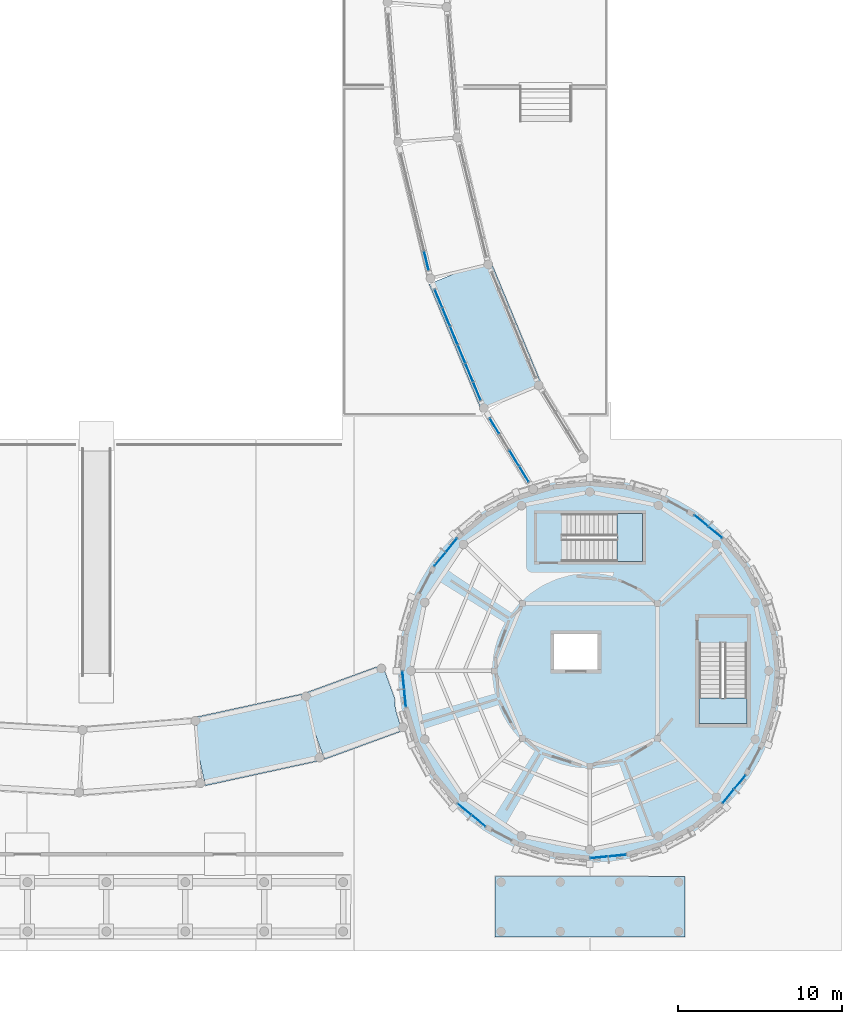
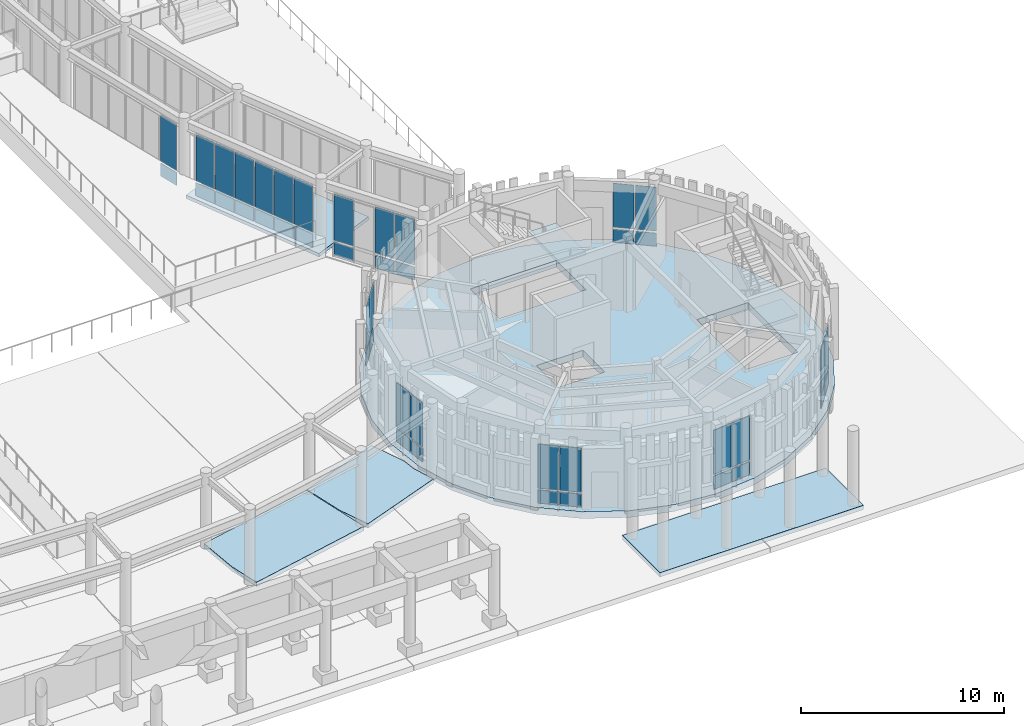
# One storey, part 40 of 94: 44 plates, 7 slabs, 11 elements without a shape of their own.
"""IFC4 building model written with IfcOpenShell, lengths in metres."""

from ifc_helpers import new_model, si_unit, direction, frame, origin, origin_2d, place, context, subcontext, project, spatial, polyline, rectangle, outline, extrude, material, layer, layer_set, type_object, element, aggregate, save


model = new_model("IFC4")

# Units and contexts
model_context = context("Model", 3, precision=1e-05, world=origin(), true_north=direction((0.0, 1.0)))
body_context = subcontext(model_context, "Body", "Model", "MODEL_VIEW")
ifc_project = project(units=[si_unit("LENGTHUNIT", "METRE"), si_unit("AREAUNIT", "SQUARE_METRE"), si_unit("VOLUMEUNIT", "CUBIC_METRE"), si_unit("PLANEANGLEUNIT", "RADIAN"), si_unit("MASSUNIT", "GRAM", prefix="KILO")], contexts=[model_context])

# Site, building, storey
site_placement = place(None, origin())
site = spatial("IfcSite", under=ifc_project, at=site_placement, CompositionType="ELEMENT")
building_placement = place(site_placement, origin())
building = spatial("IfcBuilding", under=site, at=building_placement, Name="Aldenvaro Health Centre", CompositionType="ELEMENT")
storey_placement = place(building_placement, origin())
storey = spatial("IfcBuildingStorey", under=building, at=storey_placement, Name="L00", CompositionType="ELEMENT", Elevation=0.0)

# Curtain wall, plates
ifc_material_1 = material(Name="Anodised Aluminium 6063-T6", Category="aluminium")
ifc_layer_1 = layer(ifc_material_1, 0.195068359375, Name="Anodised Aluminium 6063-T6", Category="aluminium")
ifc_layer_set_1 = layer_set([ifc_layer_1], Name="Anodised Aluminium 6063-T6")
curtain_wall_type_1 = type_object("IfcCurtainWallType", Name="CW-CLN-02", PredefinedType="NOTDEFINED", material=ifc_layer_set_1)
curtain_wall_1_placement = place(storey_placement, origin())
curtain_wall_1 = element("IfcCurtainWall", 1, at=curtain_wall_1_placement, inside=storey, type_object=curtain_wall_type_1, Name="D6 L00 curtain wall bay 04", PredefinedType="NOTDEFINED")
ifc_material_2 = material(Name="Low-E Double Glazing IGU", Category="glass")
ifc_layer_2 = layer(ifc_material_2, 0.028076171875, Name="Low-E Double Glazing IGU", Category="glass")
ifc_layer_set_2 = layer_set([ifc_layer_2], Name="Low-E Double Glazing IGU")
plate_type_1 = type_object("IfcPlateType", Name="CWP-IGU-28", PredefinedType="CURTAIN_PANEL", material=ifc_layer_set_2)
plate_1_placement = place(storey_placement, frame((163.625, 11.73388671875, 0.96044921875), z_axis=(0.0, 0.0, 1.0), x_axis=(-0.634577172169, -0.772859503767, 0.0)))
plate_1 = element("IfcPlate", 2, at=plate_1_placement, type_object=plate_type_1, Name="D6 L00 curtain wall bay 04 vision glazing 1", PredefinedType="CURTAIN_PANEL", context=body_context, shape_type="SweptSolid", body=[
    extrude(rectangle(XDim=1.047119140625, YDim=0.028076171875, at=origin_2d()), origin(), (0.0, 0.0, 1.0), 2.638916015625),
])
plate_2_placement = place(storey_placement, frame((162.916015625, 10.87109375, 0.96044921875), z_axis=(0.0, 0.0, 1.0), x_axis=(-0.634577172169, -0.772859503767, 0.0)))
plate_2 = element("IfcPlate", 3, at=plate_2_placement, type_object=plate_type_1, Name="D6 L00 curtain wall bay 04 vision glazing 2", PredefinedType="CURTAIN_PANEL", context=body_context, shape_type="SweptSolid", body=[
    extrude(rectangle(XDim=1.047119140625, YDim=0.028076171875, at=origin_2d()), origin(), (0.0, 0.0, 1.0), 2.638916015625),
])

curtain_wall_2_placement = place(storey_placement, origin())
curtain_wall_2 = element("IfcCurtainWall", 4, at=curtain_wall_2_placement, inside=storey, type_object=curtain_wall_type_1, Name="D6 L00 curtain wall bay 08", PredefinedType="NOTDEFINED")
plate_3_placement = place(storey_placement, frame((156.16796875, 7.263916015625, 0.96044921875), z_axis=(0.0, 0.0, 1.0), x_axis=(-0.995186685493, -0.097997250052, 0.0)))
plate_3 = element("IfcPlate", 5, at=plate_3_placement, type_object=plate_type_1, Name="D6 L00 curtain wall bay 08 vision glazing 1", PredefinedType="CURTAIN_PANEL", context=body_context, shape_type="SweptSolid", body=[
    extrude(rectangle(XDim=1.047119140625, YDim=0.028076171875, at=origin_2d()), origin(), (0.0, 0.0, 1.0), 2.638916015625),
])
plate_4_placement = place(storey_placement, frame((155.055908203125, 7.155029296875, 0.96044921875), z_axis=(0.0, 0.0, 1.0), x_axis=(-0.995186685493, -0.097997250052, 0.0)))
plate_4 = element("IfcPlate", 6, at=plate_4_placement, type_object=plate_type_1, Name="D6 L00 curtain wall bay 08 vision glazing 2", PredefinedType="CURTAIN_PANEL", context=body_context, shape_type="SweptSolid", body=[
    extrude(rectangle(XDim=1.047119140625, YDim=0.028076171875, at=origin_2d()), origin(), (0.0, 0.0, 1.0), 2.638916015625),
])

curtain_wall_3_placement = place(storey_placement, origin())
curtain_wall_3 = element("IfcCurtainWall", 7, at=curtain_wall_3_placement, inside=storey, type_object=curtain_wall_type_1, Name="D6 L00 curtain wall bay 12", PredefinedType="NOTDEFINED")
plate_5_placement = place(storey_placement, frame((147.73388671875, 9.3759765625, 0.96044921875), z_axis=(0.0, 0.0, 1.0), x_axis=(-0.772859503767, 0.634577172169, 0.0)))
plate_5 = element("IfcPlate", 8, at=plate_5_placement, type_object=plate_type_1, Name="D6 L00 curtain wall bay 12 vision glazing 1", PredefinedType="CURTAIN_PANEL", context=body_context, shape_type="SweptSolid", body=[
    extrude(rectangle(XDim=1.047119140625, YDim=0.028076171875, at=origin_2d()), origin(), (0.0, 0.0, 1.0), 2.638916015625),
])
plate_6_placement = place(storey_placement, frame((146.87109375, 10.0849609375, 0.96044921875), z_axis=(0.0, 0.0, 1.0), x_axis=(-0.772859503767, 0.634577172169, 0.0)))
plate_6 = element("IfcPlate", 9, at=plate_6_placement, type_object=plate_type_1, Name="D6 L00 curtain wall bay 12 vision glazing 2", PredefinedType="CURTAIN_PANEL", context=body_context, shape_type="SweptSolid", body=[
    extrude(rectangle(XDim=1.047119140625, YDim=0.028076171875, at=origin_2d()), origin(), (0.0, 0.0, 1.0), 2.638916015625),
])

curtain_wall_4_placement = place(storey_placement, origin())
curtain_wall_4 = element("IfcCurtainWall", 10, at=curtain_wall_4_placement, inside=storey, type_object=curtain_wall_type_1, Name="D6 L00 curtain wall bay 16", PredefinedType="NOTDEFINED")
plate_7_placement = place(storey_placement, frame((143.263916015625, 16.83203125, 0.96044921875), z_axis=(0.0, 0.0, 1.0), x_axis=(-0.097997250052, 0.995186685493, 0.0)))
plate_7 = element("IfcPlate", 11, at=plate_7_placement, type_object=plate_type_1, Name="D6 L00 curtain wall bay 16 vision glazing 1", PredefinedType="CURTAIN_PANEL", context=body_context, shape_type="SweptSolid", body=[
    extrude(rectangle(XDim=1.047119140625, YDim=0.028076171875, at=origin_2d()), origin(), (0.0, 0.0, 1.0), 2.638916015625),
])
plate_8_placement = place(storey_placement, frame((143.155029296875, 17.944091796875, 0.96044921875), z_axis=(0.0, 0.0, 1.0), x_axis=(-0.097997250052, 0.995186685493, 0.0)))
plate_8 = element("IfcPlate", 12, at=plate_8_placement, type_object=plate_type_1, Name="D6 L00 curtain wall bay 16 vision glazing 2", PredefinedType="CURTAIN_PANEL", context=body_context, shape_type="SweptSolid", body=[
    extrude(rectangle(XDim=1.047119140625, YDim=0.028076171875, at=origin_2d()), origin(), (0.0, 0.0, 1.0), 2.638916015625),
])

curtain_wall_5_placement = place(storey_placement, origin())
curtain_wall_5 = element("IfcCurtainWall", 13, at=curtain_wall_5_placement, inside=storey, type_object=curtain_wall_type_1, Name="D6 L00 curtain wall bay 20", PredefinedType="NOTDEFINED")
plate_9_placement = place(storey_placement, frame((145.375, 25.26611328125, 0.96044921875), z_axis=(0.0, 0.0, 1.0), x_axis=(0.634577172169, 0.772859503767, 0.0)))
plate_9 = element("IfcPlate", 14, at=plate_9_placement, type_object=plate_type_1, Name="D6 L00 curtain wall bay 20 vision glazing 1", PredefinedType="CURTAIN_PANEL", context=body_context, shape_type="SweptSolid", body=[
    extrude(rectangle(XDim=1.047119140625, YDim=0.028076171875, at=origin_2d()), origin(), (0.0, 0.0, 1.0), 2.638916015625),
])
plate_10_placement = place(storey_placement, frame((146.083984375, 26.12890625, 0.96044921875), z_axis=(0.0, 0.0, 1.0), x_axis=(0.634577172169, 0.772859503767, 0.0)))
plate_10 = element("IfcPlate", 15, at=plate_10_placement, type_object=plate_type_1, Name="D6 L00 curtain wall bay 20 vision glazing 2", PredefinedType="CURTAIN_PANEL", context=body_context, shape_type="SweptSolid", body=[
    extrude(rectangle(XDim=1.047119140625, YDim=0.028076171875, at=origin_2d()), origin(), (0.0, 0.0, 1.0), 2.638916015625),
])

curtain_wall_6_placement = place(storey_placement, origin())
curtain_wall_6 = element("IfcCurtainWall", 16, at=curtain_wall_6_placement, inside=storey, type_object=curtain_wall_type_1, Name="D6 L00 curtain wall bay 28", PredefinedType="NOTDEFINED")
plate_11_placement = place(storey_placement, frame((161.26611328125, 27.6240234375, 0.96044921875), z_axis=(0.0, 0.0, 1.0), x_axis=(0.772859503767, -0.634577172169, 0.0)))
plate_11 = element("IfcPlate", 17, at=plate_11_placement, type_object=plate_type_1, Name="D6 L00 curtain wall bay 28 vision glazing 1", PredefinedType="CURTAIN_PANEL", context=body_context, shape_type="SweptSolid", body=[
    extrude(rectangle(XDim=1.047119140625, YDim=0.028076171875, at=origin_2d()), origin(), (0.0, 0.0, 1.0), 2.638916015625),
])
plate_12_placement = place(storey_placement, frame((162.12890625, 26.916015625, 0.96044921875), z_axis=(0.0, 0.0, 1.0), x_axis=(0.772859503767, -0.634577172169, 0.0)))
plate_12 = element("IfcPlate", 18, at=plate_12_placement, type_object=plate_type_1, Name="D6 L00 curtain wall bay 28 vision glazing 2", PredefinedType="CURTAIN_PANEL", context=body_context, shape_type="SweptSolid", body=[
    extrude(rectangle(XDim=1.047119140625, YDim=0.028076171875, at=origin_2d()), origin(), (0.0, 0.0, 1.0), 2.638916015625),
])

# Curtain wall, plate
ifc_layer_3 = layer(ifc_material_1, 0.2099609375, Name="Anodised Aluminium 6063-T6", Category="aluminium")
ifc_layer_set_3 = layer_set([ifc_layer_3], Name="Anodised Aluminium 6063-T6")
curtain_wall_type_2 = type_object("IfcCurtainWallType", Name="CW-BRG-03", PredefinedType="NOTDEFINED", material=ifc_layer_set_3)
curtain_wall_7_placement = place(storey_placement, origin())
curtain_wall_7 = element("IfcCurtainWall", 19, at=curtain_wall_7_placement, inside=storey, type_object=curtain_wall_type_2, Name="East Curved Garden Colonnade Arc 6 L00 glazed link wall R-1.1", PredefinedType="NOTDEFINED")
plate_13_placement = place(storey_placement, frame((144.56103515625, 43.430908203125, 0.96044921875), z_axis=(0.0, 0.0, 1.0), x_axis=(0.233527903395, -0.972350100702, 0.0)))
plate_13 = element("IfcPlate", 20, at=plate_13_placement, type_object=plate_type_1, Name="East Curved Garden Colonnade Arc 6 L00 glazed link wall R-1.1 vision glazing 6", PredefinedType="CURTAIN_PANEL", context=body_context, shape_type="SweptSolid", body=[
    extrude(rectangle(XDim=1.14990234375, YDim=0.028076171875, at=origin_2d()), origin(), (0.0, 0.0, 1.0), 2.784912109375),
])

# Curtain wall, plates
curtain_wall_8_placement = place(storey_placement, origin())
curtain_wall_8 = element("IfcCurtainWall", 21, at=curtain_wall_8_placement, inside=storey, type_object=curtain_wall_type_2, Name="East Curved Garden Colonnade Arc 7 L00 glazed link wall R-1.1", PredefinedType="NOTDEFINED")
plate_14_placement = place(storey_placement, frame((145.302001953125, 41.135986328125, 0.96044921875), z_axis=(0.0, 0.0, 1.0), x_axis=(0.382568850779, -0.923926985434, 0.0)))
plate_14 = element("IfcPlate", 22, at=plate_14_placement, type_object=plate_type_1, Name="East Curved Garden Colonnade Arc 7 L00 glazed link wall R-1.1 vision glazing 1", PredefinedType="CURTAIN_PANEL", context=body_context, shape_type="SweptSolid", body=[
    extrude(rectangle(XDim=1.15087890625, YDim=0.028076171875, at=origin_2d()), origin(), (0.0, 0.0, 1.0), 2.784912109375),
])
plate_15_placement = place(storey_placement, frame((145.76904296875, 40.008056640625, 0.96044921875), z_axis=(0.0, 0.0, 1.0), x_axis=(0.382568850779, -0.923926985434, 0.0)))
plate_15 = element("IfcPlate", 23, at=plate_15_placement, type_object=plate_type_1, Name="East Curved Garden Colonnade Arc 7 L00 glazed link wall R-1.1 vision glazing 2", PredefinedType="CURTAIN_PANEL", context=body_context, shape_type="SweptSolid", body=[
    extrude(rectangle(XDim=1.15087890625, YDim=0.028076171875, at=origin_2d()), origin(), (0.0, 0.0, 1.0), 2.784912109375),
])
plate_16_placement = place(storey_placement, frame((146.236083984375, 38.8798828125, 0.96044921875), z_axis=(0.0, 0.0, 1.0), x_axis=(0.382568850779, -0.923926985434, 0.0)))
plate_16 = element("IfcPlate", 24, at=plate_16_placement, type_object=plate_type_1, Name="East Curved Garden Colonnade Arc 7 L00 glazed link wall R-1.1 vision glazing 3", PredefinedType="CURTAIN_PANEL", context=body_context, shape_type="SweptSolid", body=[
    extrude(rectangle(XDim=1.15087890625, YDim=0.028076171875, at=origin_2d()), origin(), (0.0, 0.0, 1.0), 2.784912109375),
])
plate_17_placement = place(storey_placement, frame((146.702880859375, 37.7529296875, 0.96044921875), z_axis=(0.0, 0.0, 1.0), x_axis=(0.382568850779, -0.923926985434, 0.0)))
plate_17 = element("IfcPlate", 25, at=plate_17_placement, type_object=plate_type_1, Name="East Curved Garden Colonnade Arc 7 L00 glazed link wall R-1.1 vision glazing 4", PredefinedType="CURTAIN_PANEL", context=body_context, shape_type="SweptSolid", body=[
    extrude(rectangle(XDim=1.15087890625, YDim=0.028076171875, at=origin_2d()), origin(), (0.0, 0.0, 1.0), 2.784912109375),
])
plate_18_placement = place(storey_placement, frame((147.1689453125, 36.625, 0.96044921875), z_axis=(0.0, 0.0, 1.0), x_axis=(0.382568850779, -0.923926985434, 0.0)))
plate_18 = element("IfcPlate", 26, at=plate_18_placement, type_object=plate_type_1, Name="East Curved Garden Colonnade Arc 7 L00 glazed link wall R-1.1 vision glazing 5", PredefinedType="CURTAIN_PANEL", context=body_context, shape_type="SweptSolid", body=[
    extrude(rectangle(XDim=1.15087890625, YDim=0.028076171875, at=origin_2d()), origin(), (0.0, 0.0, 1.0), 2.784912109375),
])
plate_19_placement = place(storey_placement, frame((147.636962890625, 35.4970703125, 0.96044921875), z_axis=(0.0, 0.0, 1.0), x_axis=(0.382568850779, -0.923926985434, 0.0)))
plate_19 = element("IfcPlate", 27, at=plate_19_placement, type_object=plate_type_1, Name="East Curved Garden Colonnade Arc 7 L00 glazed link wall R-1.1 vision glazing 6", PredefinedType="CURTAIN_PANEL", context=body_context, shape_type="SweptSolid", body=[
    extrude(rectangle(XDim=1.15087890625, YDim=0.028076171875, at=origin_2d()), origin(), (0.0, 0.0, 1.0), 2.784912109375),
])

curtain_wall_9_placement = place(storey_placement, origin())
curtain_wall_9 = element("IfcCurtainWall", 28, at=curtain_wall_9_placement, inside=storey, type_object=curtain_wall_type_2, Name="East Curved Garden Colonnade Arc 8 L00 glazed link wall R-1.1", PredefinedType="NOTDEFINED")
plate_20_placement = place(storey_placement, frame((148.7060546875, 33.37890625, 0.96044921875), z_axis=(0.0, 0.0, 1.0), x_axis=(0.522669699607, -0.852535269131, 0.0)))
plate_20 = element("IfcPlate", 29, at=plate_20_placement, type_object=plate_type_1, Name="East Curved Garden Colonnade Arc 8 L00 glazed link wall R-1.1 vision glazing 1", PredefinedType="CURTAIN_PANEL", context=body_context, shape_type="SweptSolid", body=[
    extrude(rectangle(XDim=1.073974609375, YDim=0.028076171875, at=origin_2d()), origin(), (0.0, 0.0, 1.0), 2.784912109375),
])
plate_21_placement = place(storey_placement, frame((149.90087890625, 31.427978515625, 0.96044921875), z_axis=(0.0, 0.0, 1.0), x_axis=(0.522669699607, -0.852535269131, 0.0)))
plate_21 = element("IfcPlate", 30, at=plate_21_placement, type_object=plate_type_1, Name="East Curved Garden Colonnade Arc 8 L00 glazed link wall R-1.1 vision glazing 3", PredefinedType="CURTAIN_PANEL", context=body_context, shape_type="SweptSolid", body=[
    extrude(rectangle(XDim=1.073974609375, YDim=0.028076171875, at=origin_2d()), origin(), (0.0, 0.0, 1.0), 2.784912109375),
])
plate_22_placement = place(storey_placement, frame((150.4990234375, 30.4541015625, 0.96044921875), z_axis=(0.0, 0.0, 1.0), x_axis=(0.522669699607, -0.852535269131, 0.0)))
plate_22 = element("IfcPlate", 31, at=plate_22_placement, type_object=plate_type_1, Name="East Curved Garden Colonnade Arc 8 L00 glazed link wall R-1.1 vision glazing 4", PredefinedType="CURTAIN_PANEL", context=body_context, shape_type="SweptSolid", body=[
    extrude(rectangle(XDim=1.073974609375, YDim=0.028076171875, at=origin_2d()), origin(), (0.0, 0.0, 1.0), 2.784912109375),
])

# Plate
ifc_material_3 = material(Name="Insulated Aluminium Spandrel", Category="aluminium")
ifc_layer_4 = layer(ifc_material_3, 0.035888671875, Name="Insulated Aluminium Spandrel", Category="aluminium")
ifc_layer_set_4 = layer_set([ifc_layer_4], Name="Insulated Aluminium Spandrel")
plate_type_2 = type_object("IfcPlateType", Name="CWP-SPN-36", PredefinedType="CURTAIN_PANEL", material=ifc_layer_set_4)
plate_23_placement = place(storey_placement, frame((163.625, 11.73388671875, 0.06005859375), z_axis=(0.0, 0.0, 1.0), x_axis=(-0.634577172169, -0.772859503767, 0.0)))
plate_23 = element("IfcPlate", 32, at=plate_23_placement, type_object=plate_type_2, Name="D6 L00 curtain wall bay 04 spandrel panel 1", PredefinedType="CURTAIN_PANEL", context=body_context, shape_type="SweptSolid", body=[
    extrude(rectangle(XDim=1.047119140625, YDim=0.035888671875, at=origin_2d()), origin(), (0.0, 0.0, 1.0), 0.780029296875),
])

plate_24_placement = place(storey_placement, frame((162.916015625, 10.87109375, 0.06005859375), z_axis=(0.0, 0.0, 1.0), x_axis=(-0.634577172169, -0.772859503767, 0.0)))
plate_24 = element("IfcPlate", 33, at=plate_24_placement, type_object=plate_type_2, Name="D6 L00 curtain wall bay 04 spandrel panel 2", PredefinedType="CURTAIN_PANEL", context=body_context, shape_type="SweptSolid", body=[
    extrude(rectangle(XDim=1.047119140625, YDim=0.035888671875, at=origin_2d()), origin(), (0.0, 0.0, 1.0), 0.780029296875),
])

aggregate(curtain_wall_1, [plate_23, plate_1, plate_24, plate_2])

plate_25_placement = place(storey_placement, frame((156.16796875, 7.263916015625, 0.06005859375), z_axis=(0.0, 0.0, 1.0), x_axis=(-0.995186685493, -0.097997250052, 0.0)))
plate_25 = element("IfcPlate", 34, at=plate_25_placement, type_object=plate_type_2, Name="D6 L00 curtain wall bay 08 spandrel panel 1", PredefinedType="CURTAIN_PANEL", context=body_context, shape_type="SweptSolid", body=[
    extrude(rectangle(XDim=1.047119140625, YDim=0.035888671875, at=origin_2d()), origin(), (0.0, 0.0, 1.0), 0.780029296875),
])

plate_26_placement = place(storey_placement, frame((155.055908203125, 7.155029296875, 0.06005859375), z_axis=(0.0, 0.0, 1.0), x_axis=(-0.995186685493, -0.097997250052, 0.0)))
plate_26 = element("IfcPlate", 35, at=plate_26_placement, type_object=plate_type_2, Name="D6 L00 curtain wall bay 08 spandrel panel 2", PredefinedType="CURTAIN_PANEL", context=body_context, shape_type="SweptSolid", body=[
    extrude(rectangle(XDim=1.047119140625, YDim=0.035888671875, at=origin_2d()), origin(), (0.0, 0.0, 1.0), 0.780029296875),
])

aggregate(curtain_wall_2, [plate_25, plate_3, plate_26, plate_4])

plate_27_placement = place(storey_placement, frame((147.73388671875, 9.3759765625, 0.06005859375), z_axis=(0.0, 0.0, 1.0), x_axis=(-0.772859503767, 0.634577172169, 0.0)))
plate_27 = element("IfcPlate", 36, at=plate_27_placement, type_object=plate_type_2, Name="D6 L00 curtain wall bay 12 spandrel panel 1", PredefinedType="CURTAIN_PANEL", context=body_context, shape_type="SweptSolid", body=[
    extrude(rectangle(XDim=1.047119140625, YDim=0.035888671875, at=origin_2d()), origin(), (0.0, 0.0, 1.0), 0.780029296875),
])

plate_28_placement = place(storey_placement, frame((146.87109375, 10.0849609375, 0.06005859375), z_axis=(0.0, 0.0, 1.0), x_axis=(-0.772859503767, 0.634577172169, 0.0)))
plate_28 = element("IfcPlate", 37, at=plate_28_placement, type_object=plate_type_2, Name="D6 L00 curtain wall bay 12 spandrel panel 2", PredefinedType="CURTAIN_PANEL", context=body_context, shape_type="SweptSolid", body=[
    extrude(rectangle(XDim=1.047119140625, YDim=0.035888671875, at=origin_2d()), origin(), (0.0, 0.0, 1.0), 0.780029296875),
])

aggregate(curtain_wall_3, [plate_27, plate_5, plate_28, plate_6])

plate_29_placement = place(storey_placement, frame((143.263916015625, 16.83203125, 0.06005859375), z_axis=(0.0, 0.0, 1.0), x_axis=(-0.097997250052, 0.995186685493, 0.0)))
plate_29 = element("IfcPlate", 38, at=plate_29_placement, type_object=plate_type_2, Name="D6 L00 curtain wall bay 16 spandrel panel 1", PredefinedType="CURTAIN_PANEL", context=body_context, shape_type="SweptSolid", body=[
    extrude(rectangle(XDim=1.047119140625, YDim=0.035888671875, at=origin_2d()), origin(), (0.0, 0.0, 1.0), 0.780029296875),
])

plate_30_placement = place(storey_placement, frame((143.155029296875, 17.944091796875, 0.06005859375), z_axis=(0.0, 0.0, 1.0), x_axis=(-0.097997250052, 0.995186685493, 0.0)))
plate_30 = element("IfcPlate", 39, at=plate_30_placement, type_object=plate_type_2, Name="D6 L00 curtain wall bay 16 spandrel panel 2", PredefinedType="CURTAIN_PANEL", context=body_context, shape_type="SweptSolid", body=[
    extrude(rectangle(XDim=1.047119140625, YDim=0.035888671875, at=origin_2d()), origin(), (0.0, 0.0, 1.0), 0.780029296875),
])

aggregate(curtain_wall_4, [plate_29, plate_7, plate_30, plate_8])

plate_31_placement = place(storey_placement, frame((145.375, 25.26611328125, 0.06005859375), z_axis=(0.0, 0.0, 1.0), x_axis=(0.634577172169, 0.772859503767, 0.0)))
plate_31 = element("IfcPlate", 40, at=plate_31_placement, type_object=plate_type_2, Name="D6 L00 curtain wall bay 20 spandrel panel 1", PredefinedType="CURTAIN_PANEL", context=body_context, shape_type="SweptSolid", body=[
    extrude(rectangle(XDim=1.047119140625, YDim=0.035888671875, at=origin_2d()), origin(), (0.0, 0.0, 1.0), 0.780029296875),
])

plate_32_placement = place(storey_placement, frame((146.083984375, 26.12890625, 0.06005859375), z_axis=(0.0, 0.0, 1.0), x_axis=(0.634577172169, 0.772859503767, 0.0)))
plate_32 = element("IfcPlate", 41, at=plate_32_placement, type_object=plate_type_2, Name="D6 L00 curtain wall bay 20 spandrel panel 2", PredefinedType="CURTAIN_PANEL", context=body_context, shape_type="SweptSolid", body=[
    extrude(rectangle(XDim=1.047119140625, YDim=0.035888671875, at=origin_2d()), origin(), (0.0, 0.0, 1.0), 0.780029296875),
])

aggregate(curtain_wall_5, [plate_31, plate_9, plate_32, plate_10])

plate_33_placement = place(storey_placement, frame((161.26611328125, 27.6240234375, 0.06005859375), z_axis=(0.0, 0.0, 1.0), x_axis=(0.772859503767, -0.634577172169, 0.0)))
plate_33 = element("IfcPlate", 42, at=plate_33_placement, type_object=plate_type_2, Name="D6 L00 curtain wall bay 28 spandrel panel 1", PredefinedType="CURTAIN_PANEL", context=body_context, shape_type="SweptSolid", body=[
    extrude(rectangle(XDim=1.047119140625, YDim=0.035888671875, at=origin_2d()), origin(), (0.0, 0.0, 1.0), 0.780029296875),
])

plate_34_placement = place(storey_placement, frame((162.12890625, 26.916015625, 0.06005859375), z_axis=(0.0, 0.0, 1.0), x_axis=(0.772859503767, -0.634577172169, 0.0)))
plate_34 = element("IfcPlate", 43, at=plate_34_placement, type_object=plate_type_2, Name="D6 L00 curtain wall bay 28 spandrel panel 2", PredefinedType="CURTAIN_PANEL", context=body_context, shape_type="SweptSolid", body=[
    extrude(rectangle(XDim=1.047119140625, YDim=0.035888671875, at=origin_2d()), origin(), (0.0, 0.0, 1.0), 0.780029296875),
])

aggregate(curtain_wall_6, [plate_33, plate_11, plate_34, plate_12])

plate_35_placement = place(storey_placement, frame((144.56103515625, 43.430908203125, 0.06005859375), z_axis=(0.0, 0.0, 1.0), x_axis=(0.233527903395, -0.972350100702, 0.0)))
plate_35 = element("IfcPlate", 44, at=plate_35_placement, type_object=plate_type_2, Name="East Curved Garden Colonnade Arc 6 L00 glazed link wall R-1.1 spandrel panel 6", PredefinedType="CURTAIN_PANEL", context=body_context, shape_type="SweptSolid", body=[
    extrude(rectangle(XDim=1.14990234375, YDim=0.035888671875, at=origin_2d()), origin(), (0.0, 0.0, 1.0), 0.780029296875),
])

aggregate(curtain_wall_7, [plate_35, plate_13])

plate_36_placement = place(storey_placement, frame((145.302001953125, 41.135986328125, 0.06005859375), z_axis=(0.0, 0.0, 1.0), x_axis=(0.382568850779, -0.923926985434, 0.0)))
plate_36 = element("IfcPlate", 45, at=plate_36_placement, type_object=plate_type_2, Name="East Curved Garden Colonnade Arc 7 L00 glazed link wall R-1.1 spandrel panel 1", PredefinedType="CURTAIN_PANEL", context=body_context, shape_type="SweptSolid", body=[
    extrude(rectangle(XDim=1.15087890625, YDim=0.035888671875, at=origin_2d()), origin(), (0.0, 0.0, 1.0), 0.780029296875),
])

plate_37_placement = place(storey_placement, frame((145.76904296875, 40.008056640625, 0.06005859375), z_axis=(0.0, 0.0, 1.0), x_axis=(0.382568850779, -0.923926985434, 0.0)))
plate_37 = element("IfcPlate", 46, at=plate_37_placement, type_object=plate_type_2, Name="East Curved Garden Colonnade Arc 7 L00 glazed link wall R-1.1 spandrel panel 2", PredefinedType="CURTAIN_PANEL", context=body_context, shape_type="SweptSolid", body=[
    extrude(rectangle(XDim=1.15087890625, YDim=0.035888671875, at=origin_2d()), origin(), (0.0, 0.0, 1.0), 0.780029296875),
])

plate_38_placement = place(storey_placement, frame((146.236083984375, 38.8798828125, 0.06005859375), z_axis=(0.0, 0.0, 1.0), x_axis=(0.382568850779, -0.923926985434, 0.0)))
plate_38 = element("IfcPlate", 47, at=plate_38_placement, type_object=plate_type_2, Name="East Curved Garden Colonnade Arc 7 L00 glazed link wall R-1.1 spandrel panel 3", PredefinedType="CURTAIN_PANEL", context=body_context, shape_type="SweptSolid", body=[
    extrude(rectangle(XDim=1.15087890625, YDim=0.035888671875, at=origin_2d()), origin(), (0.0, 0.0, 1.0), 0.780029296875),
])

plate_39_placement = place(storey_placement, frame((146.702880859375, 37.7529296875, 0.06005859375), z_axis=(0.0, 0.0, 1.0), x_axis=(0.382568850779, -0.923926985434, 0.0)))
plate_39 = element("IfcPlate", 48, at=plate_39_placement, type_object=plate_type_2, Name="East Curved Garden Colonnade Arc 7 L00 glazed link wall R-1.1 spandrel panel 4", PredefinedType="CURTAIN_PANEL", context=body_context, shape_type="SweptSolid", body=[
    extrude(rectangle(XDim=1.15087890625, YDim=0.035888671875, at=origin_2d()), origin(), (0.0, 0.0, 1.0), 0.780029296875),
])

plate_40_placement = place(storey_placement, frame((147.1689453125, 36.625, 0.06005859375), z_axis=(0.0, 0.0, 1.0), x_axis=(0.382568850779, -0.923926985434, 0.0)))
plate_40 = element("IfcPlate", 49, at=plate_40_placement, type_object=plate_type_2, Name="East Curved Garden Colonnade Arc 7 L00 glazed link wall R-1.1 spandrel panel 5", PredefinedType="CURTAIN_PANEL", context=body_context, shape_type="SweptSolid", body=[
    extrude(rectangle(XDim=1.15087890625, YDim=0.035888671875, at=origin_2d()), origin(), (0.0, 0.0, 1.0), 0.780029296875),
])

plate_41_placement = place(storey_placement, frame((147.636962890625, 35.4970703125, 0.06005859375), z_axis=(0.0, 0.0, 1.0), x_axis=(0.382568850779, -0.923926985434, 0.0)))
plate_41 = element("IfcPlate", 50, at=plate_41_placement, type_object=plate_type_2, Name="East Curved Garden Colonnade Arc 7 L00 glazed link wall R-1.1 spandrel panel 6", PredefinedType="CURTAIN_PANEL", context=body_context, shape_type="SweptSolid", body=[
    extrude(rectangle(XDim=1.15087890625, YDim=0.035888671875, at=origin_2d()), origin(), (0.0, 0.0, 1.0), 0.780029296875),
])

aggregate(curtain_wall_8, [plate_36, plate_14, plate_37, plate_15, plate_38, plate_16, plate_39, plate_17, plate_40, plate_18, plate_41, plate_19])

plate_42_placement = place(storey_placement, frame((148.7060546875, 33.37890625, 0.06005859375), z_axis=(0.0, 0.0, 1.0), x_axis=(0.522669699607, -0.852535269131, 0.0)))
plate_42 = element("IfcPlate", 51, at=plate_42_placement, type_object=plate_type_2, Name="East Curved Garden Colonnade Arc 8 L00 glazed link wall R-1.1 spandrel panel 1", PredefinedType="CURTAIN_PANEL", context=body_context, shape_type="SweptSolid", body=[
    extrude(rectangle(XDim=1.073974609375, YDim=0.035888671875, at=origin_2d()), origin(), (0.0, 0.0, 1.0), 0.780029296875),
])

plate_43_placement = place(storey_placement, frame((149.90087890625, 31.427978515625, 0.06005859375), z_axis=(0.0, 0.0, 1.0), x_axis=(0.522669699607, -0.852535269131, 0.0)))
plate_43 = element("IfcPlate", 52, at=plate_43_placement, type_object=plate_type_2, Name="East Curved Garden Colonnade Arc 8 L00 glazed link wall R-1.1 spandrel panel 3", PredefinedType="CURTAIN_PANEL", context=body_context, shape_type="SweptSolid", body=[
    extrude(rectangle(XDim=1.073974609375, YDim=0.035888671875, at=origin_2d()), origin(), (0.0, 0.0, 1.0), 0.780029296875),
])

plate_44_placement = place(storey_placement, frame((150.4990234375, 30.4541015625, 0.06005859375), z_axis=(0.0, 0.0, 1.0), x_axis=(0.522669699607, -0.852535269131, 0.0)))
plate_44 = element("IfcPlate", 53, at=plate_44_placement, type_object=plate_type_2, Name="East Curved Garden Colonnade Arc 8 L00 glazed link wall R-1.1 spandrel panel 4", PredefinedType="CURTAIN_PANEL", context=body_context, shape_type="SweptSolid", body=[
    extrude(rectangle(XDim=1.073974609375, YDim=0.035888671875, at=origin_2d()), origin(), (0.0, 0.0, 1.0), 0.780029296875),
])

aggregate(curtain_wall_9, [plate_42, plate_20, plate_43, plate_21, plate_44, plate_22])

# Slabs
ifc_material_4 = material(Name="Cross-laminated timber CLT E1", Category="wood")
ifc_layer_5 = layer(ifc_material_4, 0.205078125, Name="Cross-laminated timber CLT E1", Category="wood")
ifc_layer_set_5 = layer_set([ifc_layer_5], Name="Cross-laminated timber CLT E1")
slab_type_1 = type_object("IfcSlabType", Name="SLB-CLT-205", PredefinedType="FLOOR", material=ifc_layer_set_5)
slab_1_placement = place(storey_placement, frame((0.0, 0.0, -0.205078125)))
element("IfcSlab", 54, at=slab_1_placement, inside=storey, type_object=slab_type_1, Name="East Curved Garden Colonnade Arc 7 L00 deck slab", PredefinedType="FLOOR", context=body_context, shape_type="SweptSolid", body=[
    extrude(outline(polyline([(151.570068359375, 35.929931640625), (147.8740234375, 34.39990234375), (144.721923828125, 42.011962890625), (146.333984375, 42.678955078125), (148.553955078125, 43.2119140625), (151.570068359375, 35.929931640625)])), origin(), (0.0, 0.0, 1.0), 0.205078125),
])
ifc_material_5 = material(Name="Concrete f'c 40 MPa", Category="concrete")
ifc_layer_6 = layer(ifc_material_5, 0.260009765625, Name="Concrete f'c 40 MPa", Category="concrete")
ifc_layer_set_6 = layer_set([ifc_layer_6], Name="Concrete f'c 40 MPa")
slab_type_2 = type_object("IfcSlabType", Name="SLB-COL-260", PredefinedType="FLOOR", material=ifc_layer_set_6)
slab_2_placement = place(storey_placement, frame((0.0, 0.0, -0.260009765625)))
element("IfcSlab", 55, at=slab_2_placement, inside=storey, type_object=slab_type_2, Name="South East Curved Peristyle Walkway Arc 4 L00 deck slab", PredefinedType="FLOOR", context=body_context, shape_type="SweptSolid", body=[
    extrude(outline(polyline([(137.198974609375, 17.136962890625), (138.094970703125, 13.032958984375), (131.116943359375, 11.510986328125), (130.73193359375, 13.27490234375), (130.5419921875, 15.68505859375), (137.198974609375, 17.136962890625)])), origin(), (0.0, 0.0, 1.0), 0.260009765625),
])
slab_3_placement = place(storey_placement, frame((0.0, 0.0, -0.260009765625)))
element("IfcSlab", 56, at=slab_3_placement, inside=storey, type_object=slab_type_2, Name="South East Curved Peristyle Walkway Arc 5 L00 deck slab", PredefinedType="FLOOR", context=body_context, shape_type="SweptSolid", body=[
    extrude(outline(polyline([(138.368896484375, 13.113037109375), (137.7490234375, 14.80810546875), (137.23291015625, 17.169921875), (141.885986328125, 18.8720703125), (142.60791015625, 16.89990234375), (142.681884765625, 16.14892578125), (143.080078125, 14.8369140625), (138.368896484375, 13.113037109375)])), origin(), (0.0, 0.0, 1.0), 0.260009765625),
])
slab_4_placement = place(storey_placement, frame((0.0, 0.0, -0.260009765625)))
element("IfcSlab", 57, at=slab_4_placement, inside=storey, type_object=slab_type_2, Name="Pavilion Tetrastyle Portico E6 Stylobate", PredefinedType="FLOOR", context=body_context, shape_type="SweptSolid", body=[
    extrude(outline(polyline([(148.719970703125, 2.300048828125), (160.280029296875, 2.300048828125), (160.280029296875, 6.0), (148.719970703125, 6.0), (148.719970703125, 2.300048828125)])), origin(), (0.0, 0.0, 1.0), 0.260009765625),
])

# Stair, slab
stair_type = type_object("IfcStairType", Name="STR-DOG-455", PredefinedType="HALF_TURN_STAIR", material=ifc_material_5)
stair_1_placement = place(storey_placement, origin())
stair_1 = element("IfcStair", 58, at=stair_1_placement, inside=storey, type_object=stair_type, Name="L00 Exit Stair ST-11", PredefinedType="HALF_TURN_STAIR")
ifc_layer_7 = layer(ifc_material_5, 0.199951171875, Name="Concrete f'c 40 MPa", Category="concrete")
ifc_layer_set_7 = layer_set([ifc_layer_7], Name="Concrete f'c 40 MPa")
slab_type_3 = type_object("IfcSlabType", Name="SLB-LND-200", PredefinedType="LANDING", material=ifc_layer_set_7)
slab_5_placement = place(storey_placement, frame((0.0, 0.0, 2.074951171875)))
slab_5 = element("IfcSlab", 59, at=slab_5_placement, type_object=slab_type_3, Name="ST-11 landing 1", PredefinedType="LANDING", context=body_context, shape_type="SweptSolid", body=[
    extrude(outline(polyline([(161.14990234375, 16.840087890625), (161.14990234375, 15.300048828125), (164.050048828125, 15.300048828125), (164.050048828125, 16.840087890625), (161.14990234375, 16.840087890625)])), origin(), (0.0, 0.0, 1.0), 0.199951171875),
])
aggregate(stair_1, [slab_5])

stair_2_placement = place(storey_placement, origin())
stair_2 = element("IfcStair", 60, at=stair_2_placement, inside=storey, type_object=stair_type, Name="L00 Exit Stair ST-12", PredefinedType="HALF_TURN_STAIR")
slab_6_placement = place(storey_placement, frame((0.0, 0.0, 2.074951171875)))
slab_6 = element("IfcSlab", 61, at=slab_6_placement, type_object=slab_type_3, Name="ST-12 landing 1", PredefinedType="LANDING", context=body_context, shape_type="SweptSolid", body=[
    extrude(outline(polyline([(156.159912109375, 25.14990234375), (157.699951171875, 25.14990234375), (157.699951171875, 28.050048828125), (156.159912109375, 28.050048828125), (156.159912109375, 25.14990234375)])), origin(), (0.0, 0.0, 1.0), 0.199951171875),
])
aggregate(stair_2, [slab_6])

# Slab
ifc_layer_8 = layer(ifc_material_5, 0.402099609375, Name="Concrete f'c 40 MPa", Category="concrete")
ifc_layer_set_8 = layer_set([ifc_layer_8], Name="Concrete f'c 40 MPa")
slab_type_4 = type_object("IfcSlabType", Name="SLB-POD-295", PredefinedType="FLOOR", material=ifc_layer_set_8)
slab_7_placement = place(storey_placement, frame((0.0, 0.0, -0.402099609375)))
element("IfcSlab", 62, at=slab_7_placement, inside=storey, type_object=slab_type_4, Name="D6 L00 floor slab", PredefinedType="FLOOR", context=body_context, shape_type="SweptSolid", body=[
    extrude(outline(polyline([(166.219970703125, 18.5), (165.9951171875, 20.785888671875), (165.327880859375, 22.985107421875), (164.2451171875, 25.010986328125), (162.787109375, 26.787109375), (161.010986328125, 28.2451171875), (158.985107421875, 29.327880859375), (156.785888671875, 29.9951171875), (154.5, 30.219970703125), (152.214111328125, 29.9951171875), (150.014892578125, 29.327880859375), (147.989013671875, 28.2451171875), (146.212890625, 26.787109375), (144.7548828125, 25.010986328125), (143.672119140625, 22.985107421875), (143.0048828125, 20.785888671875), (142.780029296875, 18.5), (143.0048828125, 16.214111328125), (143.672119140625, 14.014892578125), (144.7548828125, 11.989013671875), (146.212890625, 10.212890625), (147.989013671875, 8.7548828125), (150.014892578125, 7.672119140625), (152.214111328125, 7.0048828125), (154.5, 6.780029296875), (156.785888671875, 7.0048828125), (158.985107421875, 7.672119140625), (161.010986328125, 8.7548828125), (162.787109375, 10.212890625), (164.2451171875, 11.989013671875), (165.327880859375, 14.014892578125), (165.9951171875, 16.214111328125), (166.219970703125, 18.5)]), holes=[polyline([(161.14990234375, 20.199951171875), (161.14990234375, 15.300048828125), (164.050048828125, 15.300048828125), (164.050048828125, 20.199951171875), (161.14990234375, 20.199951171875)]), polyline([(152.800048828125, 25.14990234375), (157.699951171875, 25.14990234375), (157.699951171875, 28.050048828125), (152.800048828125, 28.050048828125), (152.800048828125, 25.14990234375)]), polyline([(152.324951171875, 18.574951171875), (154.97509765625, 18.574951171875), (154.97509765625, 20.72509765625), (152.324951171875, 20.72509765625), (152.324951171875, 18.574951171875)])]), origin(), (0.0, 0.0, 1.0), 0.402099609375),
])

save(model, "model.ifc")
